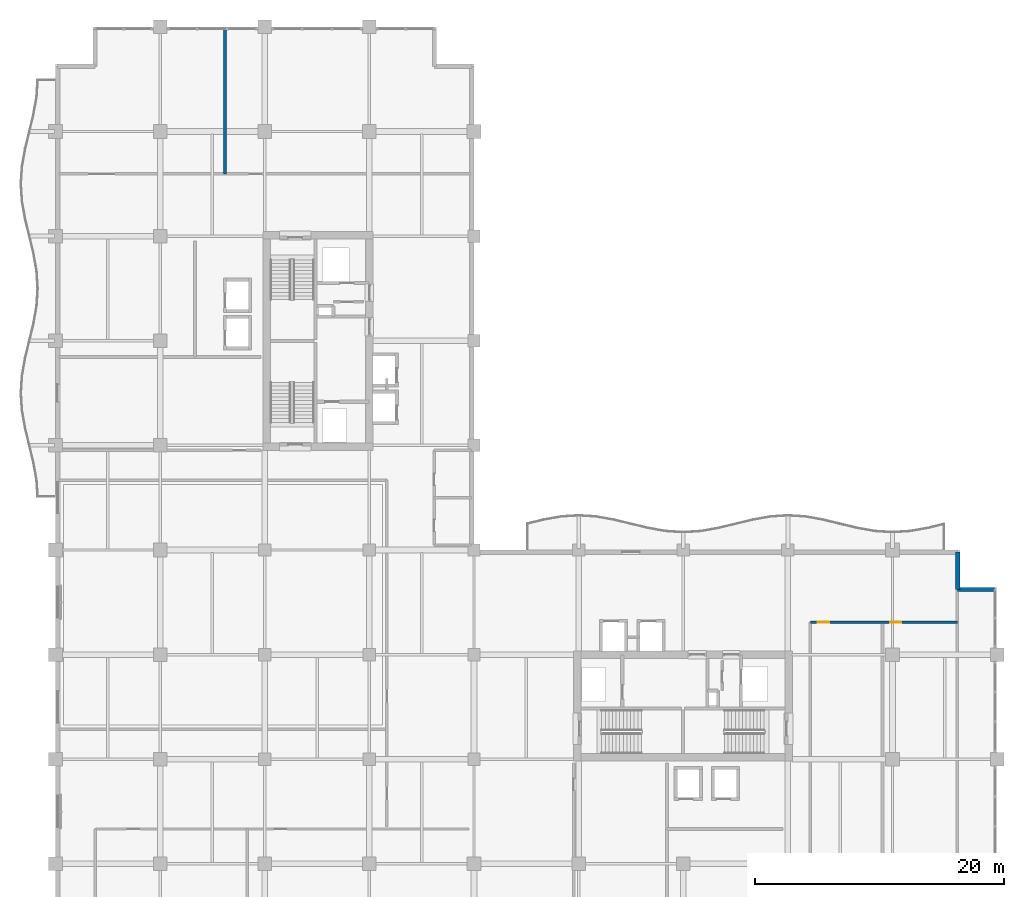
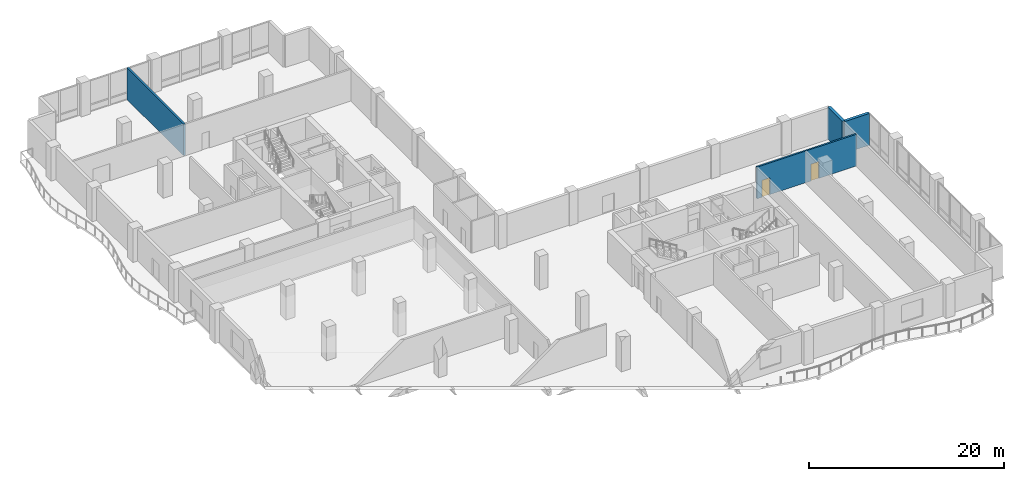
# One storey, part 15 of 22: 4 walls, 2 doors, 2 openings.
"""IFC4 building model written with IfcOpenShell, lengths in metres."""

from ifc_helpers import new_model, si_unit, direction, frame, frame_2d, origin, place, context, subcontext, project, spatial, rectangle, extrude, material, layer, layer_set, type_object, element, fill, save


model = new_model("IFC4")

# Units and contexts
model_context = context("Model", 3, precision=1e-05, world=origin(), true_north=direction((0.0, 1.0)))
body_context = subcontext(model_context, "Body", "Model", "MODEL_VIEW")
ifc_project = project(units=[si_unit("LENGTHUNIT", "METRE"), si_unit("AREAUNIT", "SQUARE_METRE"), si_unit("VOLUMEUNIT", "CUBIC_METRE"), si_unit("PLANEANGLEUNIT", "RADIAN"), si_unit("MASSUNIT", "GRAM", prefix="KILO")], contexts=[model_context])

# Site, building, storey
site_placement = place(None, origin())
site = spatial("IfcSite", under=ifc_project, at=site_placement, CompositionType="ELEMENT")
building_placement = place(site_placement, origin())
building = spatial("IfcBuilding", under=site, at=building_placement, Name="Koriwani Terraces Tower", CompositionType="ELEMENT")
storey_placement = place(building_placement, frame((0.0, 0.0, 219.800048828125)))
storey = spatial("IfcBuildingStorey", under=building, at=storey_placement, Name="L54", CompositionType="ELEMENT", Elevation=219.800048828125)

# Wall, openings, doors
ifc_material_1 = material(Name="Autoclaved Cellular Concrete Blockwork", Category="masonry")
ifc_layer_1 = layer(ifc_material_1, 0.199951171875, Name="Autoclaved Cellular Concrete Blockwork")
ifc_layer_set_1 = layer_set([ifc_layer_1], Name="Autoclaved Cellular Concrete Blockwork")
wall_type_1 = type_object("IfcWallType", Name="WALL_CORRIDOR_200", PredefinedType="PARTITIONING", material=ifc_layer_set_1)
wall_1_placement = place(storey_placement, frame((60.60009765625, 27.800048828125, 0.0), z_axis=(0.0, 0.0, 1.0), x_axis=(1.0, 0.0, 0.0)))
wall_1 = element("IfcWall", 1, at=wall_1_placement, inside=storey, type_object=wall_type_1, Name="L54 Interior Wall WSKY-E1-L54", PredefinedType="PARTITIONING", context=body_context, shape_type="SweptSolid", body=[
    extrude(rectangle(XDim=11.7998046875, YDim=0.199951171875, at=frame_2d((5.89990234375, 0.0))), origin(), (0.0, 0.0, 1.0), 3.969970703125),
])
opening_1_placement = place(wall_1_placement, frame((0.60009765625, 0.0, 0.0)))
opening_1 = element("IfcOpeningElement", 2, at=opening_1_placement, cuts=wall_1, Name="Opening D-06", PredefinedType="OPENING", context=body_context, shape_type="SweptSolid", body=[
    extrude(rectangle(XDim=0.919921875, YDim=2.10009765625, at=frame_2d((0.4599609375, 1.050048828125))), frame((0.0, 0.10986328125, 0.0), z_axis=(0.0, -1.0, 0.0), x_axis=(1.0, 0.0, 0.0)), (0.0, 0.0, 1.0), 0.219970703125),
])
opening_2_placement = place(wall_1_placement, frame((6.39990234375, 0.0, 0.0)))
opening_2 = element("IfcOpeningElement", 3, at=opening_2_placement, cuts=wall_1, Name="Opening D-06", PredefinedType="OPENING", context=body_context, shape_type="SweptSolid", body=[
    extrude(rectangle(XDim=0.919921875, YDim=2.10009765625, at=frame_2d((0.4599609375, 1.050048828125))), frame((0.0, 0.10986328125, 0.0), z_axis=(0.0, -1.0, 0.0), x_axis=(1.0, 0.0, 0.0)), (0.0, 0.0, 1.0), 0.219970703125),
])
ifc_material_2 = material(Name="Architectural Oak Fire Door", Category="wood")
door_type = type_object("IfcDoorType", Name="DOOR_ROOM_INT_920X2100", OperationType="NOTDEFINED", PredefinedType="DOOR", material=ifc_material_2)
door_1_placement = place(opening_1_placement, origin())
door_1 = element("IfcDoor", 4, at=door_1_placement, inside=storey, type_object=door_type, Name="L54 South Panorama Lounge Door", OperationType="SINGLE_SWING_RIGHT", OverallHeight=2.10009765625, OverallWidth=0.919921875, PredefinedType="DOOR", context=body_context, shape_type="SweptSolid", body=[
    extrude(rectangle(XDim=0.919921875, YDim=2.10009765625, at=frame_2d((0.4599609375, 1.050048828125))), frame((0.0, 0.02490234375, 0.0), z_axis=(0.0, -1.0, 0.0), x_axis=(1.0, 0.0, 0.0)), (0.0, 0.0, 1.0), 0.050048828125),
])
fill(opening_1, door_1)
door_2_placement = place(opening_2_placement, origin())
door_2 = element("IfcDoor", 5, at=door_2_placement, inside=storey, type_object=door_type, Name="L54 Sky Garden Restaurant Door", OperationType="SINGLE_SWING_LEFT", OverallHeight=2.10009765625, OverallWidth=0.919921875, PredefinedType="DOOR", context=body_context, shape_type="SweptSolid", body=[
    extrude(rectangle(XDim=0.919921875, YDim=2.10009765625, at=frame_2d((0.4599609375, 1.050048828125))), frame((0.0, 0.02490234375, 0.0), z_axis=(0.0, -1.0, 0.0), x_axis=(1.0, 0.0, 0.0)), (0.0, 0.0, 1.0), 0.050048828125),
])
fill(opening_2, door_2)

# Walls
ifc_layer_2 = layer(ifc_material_1, 0.219970703125, Name="Autoclaved Cellular Concrete Blockwork")
ifc_layer_set_2 = layer_set([ifc_layer_2], Name="Autoclaved Cellular Concrete Blockwork")
wall_type_2 = type_object("IfcWallType", Name="WALL_DEMISING_220", PredefinedType="PARTITIONING", material=ifc_layer_set_2)
wall_2_placement = place(storey_placement, frame((13.60009765625, 63.800048828125, 0.0), z_axis=(0.0, 0.0, 1.0), x_axis=(0.0, 1.0, 0.0)))
element("IfcWall", 6, at=wall_2_placement, inside=storey, type_object=wall_type_2, Name="L54 Interior Wall WSKY-NDIV-L54", PredefinedType="PARTITIONING", context=body_context, shape_type="SweptSolid", body=[
    extrude(rectangle(XDim=11.64990234375, YDim=0.219970703125, at=frame_2d((5.824951171875, 0.0))), origin(), (0.0, 0.0, 1.0), 3.969970703125),
])
ifc_material_3 = material(Name="Concrete C50/60", Category="concrete")
ifc_layer_3 = layer(ifc_material_3, 0.35009765625, Name="Concrete C50/60")
ifc_layer_set_3 = layer_set([ifc_layer_3], Name="Concrete C50/60")
wall_type_3 = type_object("IfcWallType", Name="WALL_EXT_BRUTALIST_350", PredefinedType="STANDARD", material=ifc_layer_set_3)
for number, where, z_axis, x_axis, name in (
    (7, (72.425048828125, 33.425048828125, 0.0), (0.0, 0.0, 1.0), (0.0, -1.0, 0.0), "L54 Fair-Faced Brutalist Exterior Wall (N10)"),
    (8, (72.425048828125, 30.425048828125, 0.0), (0.0, 0.0, 1.0), (1.0, 0.0, 0.0), "L54 Fair-Faced Brutalist Exterior Wall (N11)"),
):
    element("IfcWall", number, at=place(storey_placement, frame(where, z_axis=z_axis, x_axis=x_axis)), inside=storey, type_object=wall_type_3, Name=name, PredefinedType="STANDARD", context=body_context, shape_type="SweptSolid", body=[
        extrude(rectangle(XDim=3.0, YDim=0.35009765625, at=frame_2d((1.5, 0.0))), origin(), (0.0, 0.0, 1.0), 3.969970703125),
    ])

save(model, "model.ifc")
